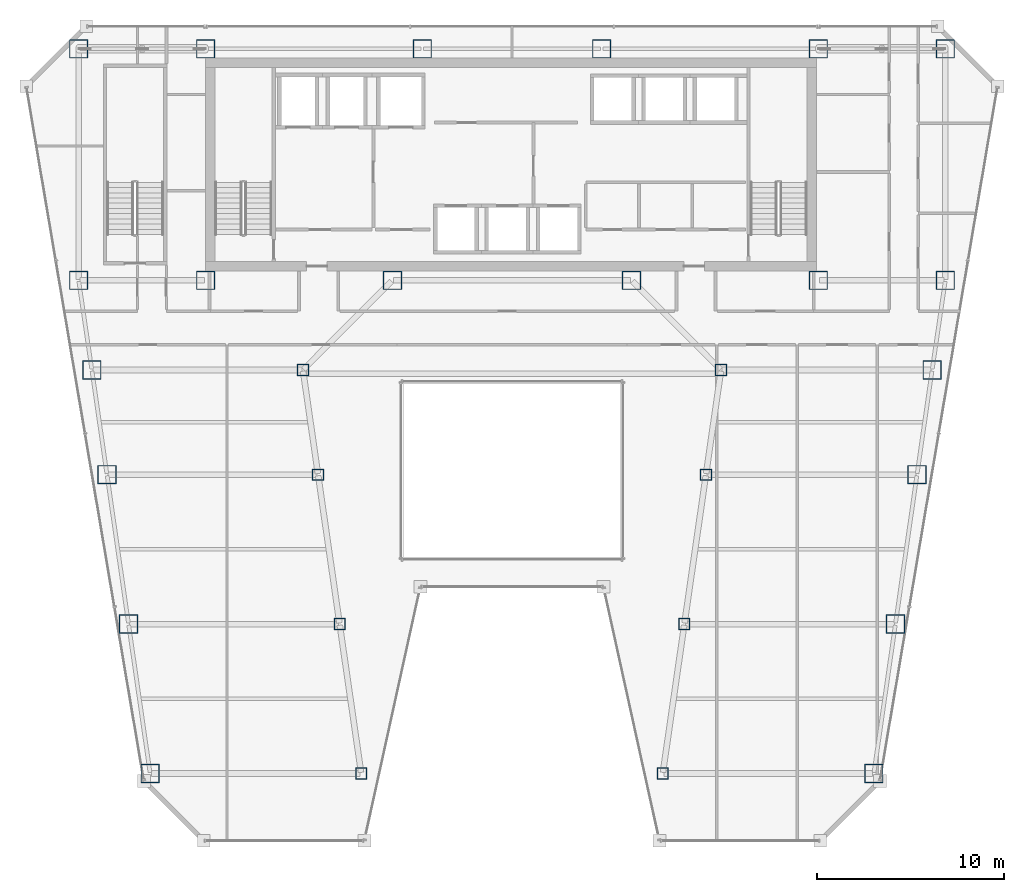
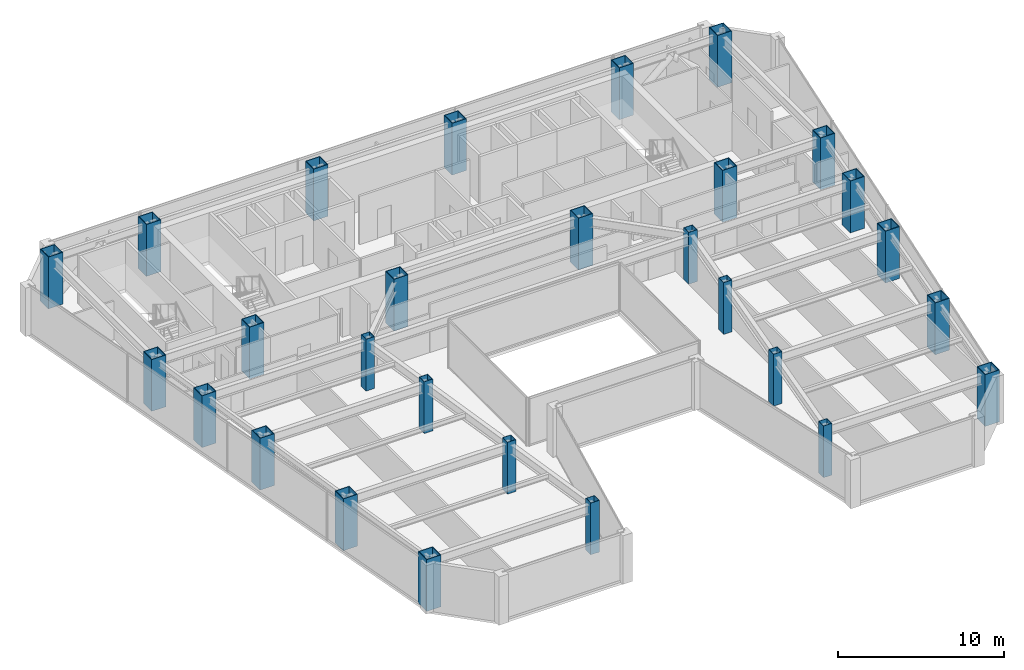
# One storey, part 1 of 35: 28 columns.
"""IFC4 building model written with IfcOpenShell, lengths in metres."""

from ifc_helpers import new_model, si_unit, direction, frame, origin, origin_2d, place, context, subcontext, project, spatial, hollow_rectangle, extrude, material, material_profile, profile_set, type_object, element, save


model = new_model("IFC4")

# Units and contexts
model_context = context("Model", 3, precision=1e-05, world=origin(), true_north=direction((0.0, 1.0)))
body_context = subcontext(model_context, "Body", "Model", "MODEL_VIEW")
ifc_project = project(units=[si_unit("LENGTHUNIT", "METRE"), si_unit("AREAUNIT", "SQUARE_METRE"), si_unit("VOLUMEUNIT", "CUBIC_METRE"), si_unit("PLANEANGLEUNIT", "RADIAN"), si_unit("MASSUNIT", "GRAM", prefix="KILO")], contexts=[model_context])

# Site, building, storey
site_placement = place(None, origin())
site = spatial("IfcSite", under=ifc_project, at=site_placement, CompositionType="ELEMENT")
building_placement = place(site_placement, origin())
building = spatial("IfcBuilding", under=site, at=building_placement, Name="Saevonmaru Cultural Tower", CompositionType="ELEMENT")
storey_placement = place(building_placement, frame((0.0, 0.0, 175.199951171875)))
storey = spatial("IfcBuildingStorey", under=building, at=storey_placement, Name="L39", CompositionType="ELEMENT", Elevation=175.199951171875)

# Columns
ifc_material_1 = material(Name="Steel SM420", Category="steel")
ifc_material_profile_1 = material_profile(ifc_material_1, hollow_rectangle(XDim=1.0, YDim=1.0, WallThickness=0.044921875, at=origin_2d()), Name="BOX-1000x1000x45")
ifc_profile_set_1 = profile_set([ifc_material_profile_1], Name="Steel SM420")
column_type_1 = type_object("IfcColumnType", Name="COL-BOX-1000", PredefinedType="COLUMN", material=ifc_profile_set_1)
for number, where, z_axis, x_axis, name in (
    (1, (6.800048828125, 54.800048828125, 0.0), (0.0, 0.0, 1.0), (1.0, 0.0, 0.0), "L39 Column TC-N1N"),
    (2, (13.60009765625, 54.800048828125, 0.0), (0.0, 0.0, 1.0), (1.0, 0.0, 0.0), "L39 Column TC-N2N"),
    (3, (25.199951171875, 54.800048828125, 0.0), (0.0, 0.0, 1.0), (1.0, 0.0, 0.0), "L39 Column TC-N3N"),
    (4, (34.800048828125, 54.800048828125, 0.0), (0.0, 0.0, 1.0), (1.0, 0.0, 0.0), "L39 Column TC-N4N"),
    (5, (46.39990234375, 54.800048828125, 0.0), (0.0, 0.0, 1.0), (1.0, 0.0, 0.0), "L39 Column TC-N5N"),
    (6, (53.199951171875, 54.800048828125, 0.0), (0.0, 0.0, 1.0), (1.0, 0.0, 0.0), "L39 Column TC-N6N"),
    (7, (6.800048828125, 42.39990234375, 0.0), (0.0, 0.0, 1.0), (1.0, 0.0, 0.0), "L39 Column TC-S1C"),
    (8, (13.60009765625, 42.39990234375, 0.0), (0.0, 0.0, 1.0), (1.0, 0.0, 0.0), "L39 Column TC-S2C"),
    (9, (23.60009765625, 42.39990234375, 0.0), (0.0, 0.0, 1.0), (1.0, 0.0, 0.0), "L39 Column TC-S3C"),
    (10, (36.39990234375, 42.39990234375, 0.0), (0.0, 0.0, 1.0), (1.0, 0.0, 0.0), "L39 Column TC-S4C"),
    (11, (46.39990234375, 42.39990234375, 0.0), (0.0, 0.0, 1.0), (1.0, 0.0, 0.0), "L39 Column TC-S5C"),
    (12, (53.199951171875, 42.39990234375, 0.0), (0.0, 0.0, 1.0), (1.0, 0.0, 0.0), "L39 Column TC-S6C"),
    (13, (10.6279296875, 16.0, 0.0), (0.0, 0.0, 1.0), (1.0, 0.0, 0.0), "L39 Column TC-WO-Y160"),
    (14, (49.3720703125, 16.0, 0.0), (0.0, 0.0, 1.0), (1.0, 0.0, 0.0), "L39 Column TC-EO-Y160"),
    (15, (9.471923828125, 24.0, 0.0), (0.0, 0.0, 1.0), (1.0, 0.0, 0.0), "L39 Column TC-WO-Y240"),
    (16, (50.528076171875, 24.0, 0.0), (0.0, 0.0, 1.0), (1.0, 0.0, 0.0), "L39 Column TC-EO-Y240"),
    (17, (8.31689453125, 32.0, 0.0), (0.0, 0.0, 1.0), (1.0, 0.0, 0.0), "L39 Column TC-WO-Y320"),
    (18, (51.68310546875, 32.0, 0.0), (0.0, 0.0, 1.0), (1.0, 0.0, 0.0), "L39 Column TC-EO-Y320"),
    (19, (7.508056640625, 37.60009765625, 0.0), (0.0, 0.0, 1.0), (1.0, 0.0, 0.0), "L39 Column TC-WO-Y376"),
    (20, (52.491943359375, 37.60009765625, 0.0), (0.0, 0.0, 1.0), (1.0, 0.0, 0.0), "L39 Column TC-EO-Y376"),
):
    element("IfcColumn", number, at=place(storey_placement, frame(where, z_axis=z_axis, x_axis=x_axis)), inside=storey, type_object=column_type_1, Name=name, PredefinedType="COLUMN", context=body_context, shape_type="SweptSolid", body=[
        extrude(hollow_rectangle(XDim=1.0, YDim=1.0, WallThickness=0.044921875, at=origin_2d()), origin(), (0.0, 0.0, 1.0), 3.800048828125),
    ])
ifc_material_2 = material(Name="Steel SM355", Category="steel")
ifc_material_profile_2 = material_profile(ifc_material_2, hollow_rectangle(XDim=0.60009765625, YDim=0.60009765625, WallThickness=0.028076171875, at=origin_2d()), Name="BOX-600x600x28")
ifc_profile_set_2 = profile_set([ifc_material_profile_2], Name="Steel SM355")
column_type_2 = type_object("IfcColumnType", Name="COL-BOX-600", PredefinedType="COLUMN", material=ifc_profile_set_2)
for number, where, z_axis, x_axis, name in (
    (21, (21.927978515625, 16.0, 0.0), (0.0, 0.0, 1.0), (1.0, 0.0, 0.0), "L39 Column TC-WI-Y160"),
    (22, (38.072021484375, 16.0, 0.0), (0.0, 0.0, 1.0), (1.0, 0.0, 0.0), "L39 Column TC-EI-Y160"),
    (23, (20.77197265625, 24.0, 0.0), (0.0, 0.0, 1.0), (1.0, 0.0, 0.0), "L39 Column TC-WI-Y240"),
    (24, (39.22802734375, 24.0, 0.0), (0.0, 0.0, 1.0), (1.0, 0.0, 0.0), "L39 Column TC-EI-Y240"),
    (25, (19.616943359375, 32.0, 0.0), (0.0, 0.0, 1.0), (1.0, 0.0, 0.0), "L39 Column TC-WI-Y320"),
    (26, (40.383056640625, 32.0, 0.0), (0.0, 0.0, 1.0), (1.0, 0.0, 0.0), "L39 Column TC-EI-Y320"),
    (27, (18.80810546875, 37.60009765625, 0.0), (0.0, 0.0, 1.0), (1.0, 0.0, 0.0), "L39 Column TC-WI-Y376"),
    (28, (41.19189453125, 37.60009765625, 0.0), (0.0, 0.0, 1.0), (1.0, 0.0, 0.0), "L39 Column TC-EI-Y376"),
):
    element("IfcColumn", number, at=place(storey_placement, frame(where, z_axis=z_axis, x_axis=x_axis)), inside=storey, type_object=column_type_2, Name=name, PredefinedType="COLUMN", context=body_context, shape_type="SweptSolid", body=[
        extrude(hollow_rectangle(XDim=0.60009765625, YDim=0.60009765625, WallThickness=0.028076171875, at=origin_2d()), origin(), (0.0, 0.0, 1.0), 3.800048828125),
    ])

save(model, "model.ifc")
